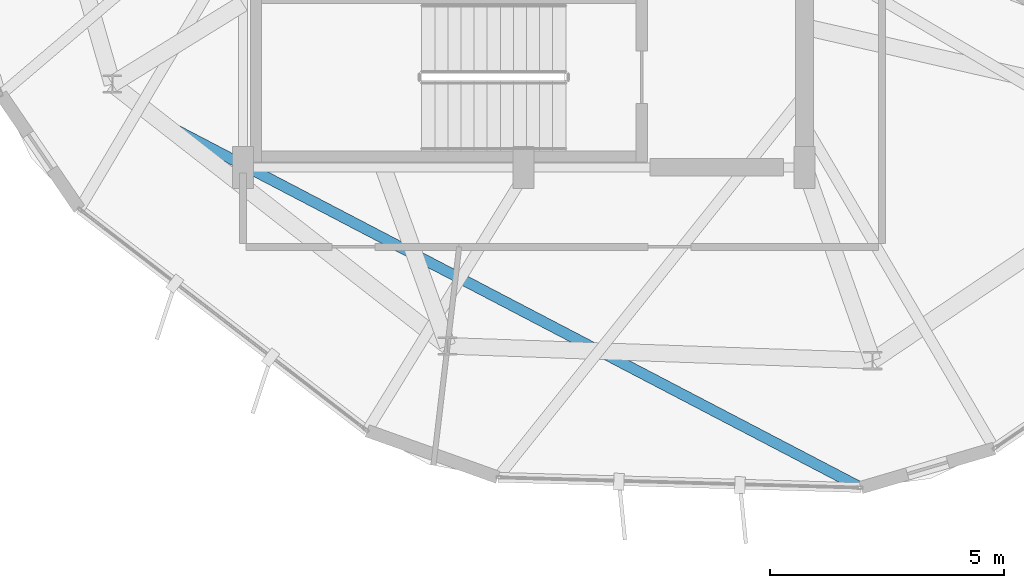
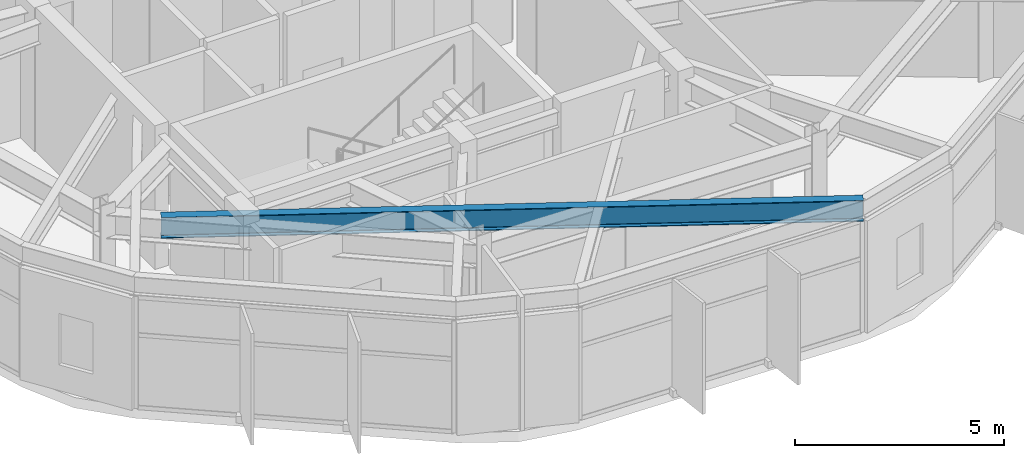
# One storey, part 3 of 20: 1 beam.
"""IFC4 building model written with IfcOpenShell, lengths in metres."""

from ifc_helpers import new_model, si_unit, direction, frame, origin, origin_2d, place, context, subcontext, project, spatial, i_section, extrude, material, material_profile, profile_set, type_object, element, save


model = new_model("IFC4")

# Units and contexts
model_context = context("Model", 3, precision=1e-05, world=origin(), true_north=direction((0.0, 1.0)))
body_context = subcontext(model_context, "Body", "Model", "MODEL_VIEW")
ifc_project = project(units=[si_unit("LENGTHUNIT", "METRE"), si_unit("AREAUNIT", "SQUARE_METRE"), si_unit("VOLUMEUNIT", "CUBIC_METRE"), si_unit("PLANEANGLEUNIT", "RADIAN"), si_unit("MASSUNIT", "GRAM", prefix="KILO")], contexts=[model_context])

# Site, building, storey
site_placement = place(None, origin())
site = spatial("IfcSite", under=ifc_project, at=site_placement, CompositionType="ELEMENT")
building_placement = place(site_placement, origin())
building = spatial("IfcBuilding", under=site, at=building_placement, Name="Soratama Intermodal Tower", CompositionType="ELEMENT")
storey_placement = place(building_placement, frame((0.0, 0.0, 293.050048828125)))
storey = spatial("IfcBuildingStorey", under=building, at=storey_placement, Name="L74", CompositionType="ELEMENT", Elevation=293.050048828125)

# Beam
ifc_material = material(Name="Structural steel ASTM A992 Grade 50", Category="steel")
ifc_material_profile = material_profile(ifc_material, i_section(OverallWidth=0.22900390625, OverallDepth=0.612060546875, WebThickness=0.011962890625, FlangeThickness=0.01953125, FilletRadius=0.012939453125, at=origin_2d()), Name="W24X84")
ifc_profile_set = profile_set([ifc_material_profile], Name="Structural steel ASTM A992 Grade 50")
beam_type = type_object("IfcBeamType", Name="BM-TIE-W24X84", PredefinedType="BEAM", material=ifc_profile_set)
beam_placement = place(storey_placement, frame((30.89599609375, 15.943115234375, 3.5888671875), z_axis=(0.886411882206, -0.462897369926, 0.0), x_axis=(0.462897369926, 0.886411882206, 0.0)))
element("IfcBeam", 1, at=beam_placement, inside=storey, type_object=beam_type, Name="BM-L74-TIE1-06", PredefinedType="BEAM", context=body_context, shape_type="SweptSolid", body=[
    extrude(i_section(OverallWidth=0.22900390625, OverallDepth=0.612060546875, WebThickness=0.011962890625, FlangeThickness=0.01953125, FilletRadius=0.012939453125, at=origin_2d()), origin(), (0.0, 0.0, 1.0), 16.818359375),
])

save(model, "model.ifc")
